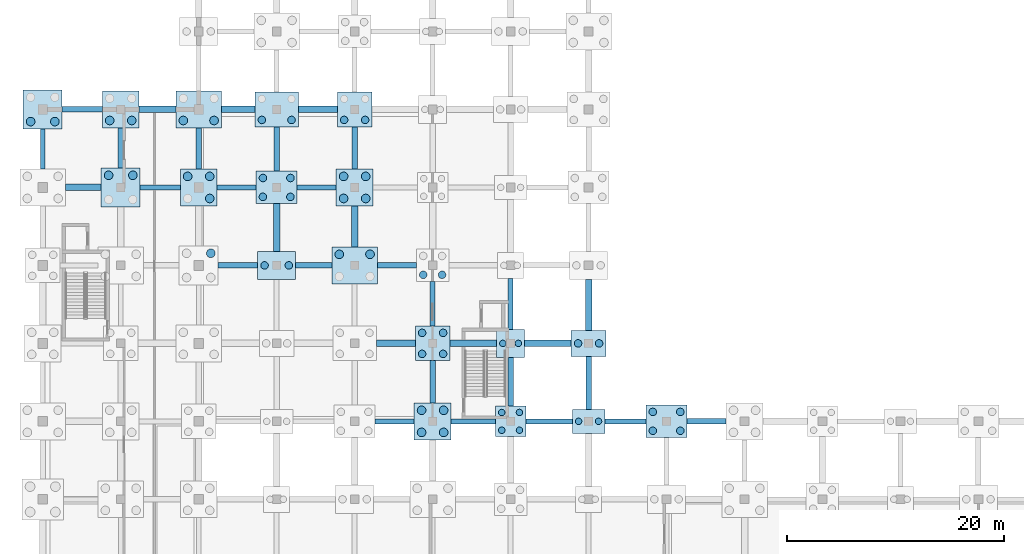
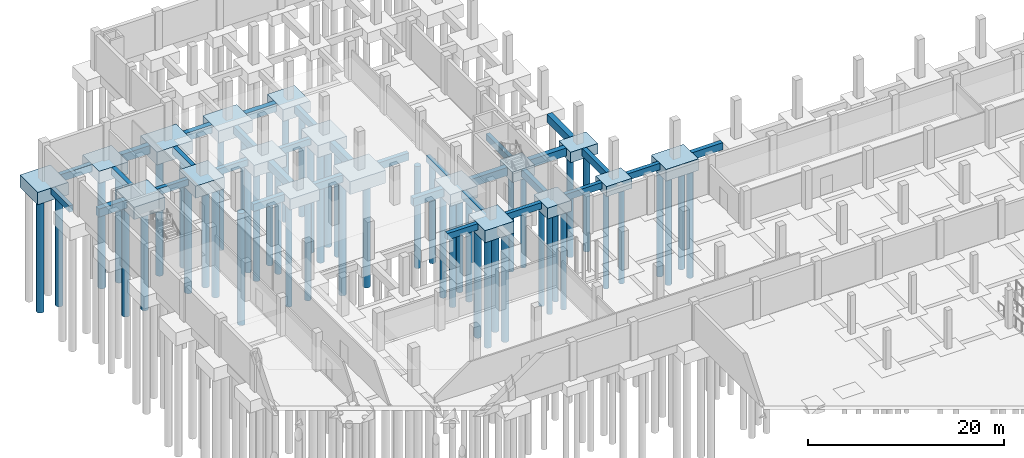
# One storey, part 8 of 38: 52 piles, 50 footings.
"""IFC4 building model written with IfcOpenShell, lengths in metres."""

from ifc_helpers import new_model, si_unit, direction, frame, origin, origin_2d, place, context, subcontext, project, spatial, rectangle, circle, extrude, material, material_profile, profile_set, type_object, element, save


model = new_model("IFC4")

# Units and contexts
model_context = context("Model", 3, precision=1e-05, world=origin(), true_north=direction((0.0, 1.0)))
body_context = subcontext(model_context, "Body", "Model", "MODEL_VIEW")
ifc_project = project(units=[si_unit("LENGTHUNIT", "METRE"), si_unit("AREAUNIT", "SQUARE_METRE"), si_unit("VOLUMEUNIT", "CUBIC_METRE"), si_unit("PLANEANGLEUNIT", "RADIAN"), si_unit("MASSUNIT", "GRAM", prefix="KILO")], contexts=[model_context])

# Site, building, storey
site_placement = place(None, origin())
site = spatial("IfcSite", under=ifc_project, at=site_placement, CompositionType="ELEMENT")
building_placement = place(site_placement, origin())
building = spatial("IfcBuilding", under=site, at=building_placement, Name="Valkovuoma Quantum and Materials Research Institute", CompositionType="ELEMENT")
storey_placement = place(building_placement, frame((0.0, 0.0, -4.800048828125)))
storey = spatial("IfcBuildingStorey", under=building, at=storey_placement, Name="B1", CompositionType="ELEMENT", Elevation=-4.800048828125)

# Footings
ifc_material_1 = material(Name="Concrete C35/45", Category="concrete")
footing_type_1 = type_object("IfcFootingType", Name="Cap-PC-04", PredefinedType="PILE_CAP", material=ifc_material_1)
footing_1_placement = place(storey_placement, frame((43.199951171875, 72.0, -1.2998046875), z_axis=(0.0, 0.0, 1.0), x_axis=(1.0, 0.0, 0.0)))
element("IfcFooting", 1, at=footing_1_placement, inside=storey, type_object=footing_type_1, Name="B1 pile cap 07L", PredefinedType="PILE_CAP", context=body_context, shape_type="SweptSolid", body=[
    extrude(rectangle(XDim=2.60009765625, YDim=2.60009765625, at=origin_2d()), origin(), (0.0, 0.0, 1.0), 1.300048828125),
])
ifc_material_2 = material(Name="Concrete C35/45", Category="concrete")
footing_type_2 = type_object("IfcFootingType", Name="Cap-PC-05", PredefinedType="PILE_CAP", material=ifc_material_2)
footing_2_placement = place(storey_placement, frame((43.199951171875, 64.800048828125, -1.35009765625), z_axis=(0.0, 0.0, 1.0), x_axis=(1.0, 0.0, 0.0)))
element("IfcFooting", 2, at=footing_2_placement, inside=storey, type_object=footing_type_2, Name="B1 pile cap 07K", PredefinedType="PILE_CAP", context=body_context, shape_type="SweptSolid", body=[
    extrude(rectangle(XDim=2.800048828125, YDim=2.800048828125, at=origin_2d()), origin(), (0.0, 0.0, 1.0), 1.35009765625),
])
ifc_material_3 = material(Name="Concrete C35/45", Category="concrete")
footing_type_3 = type_object("IfcFootingType", Name="Cap-PC-07", PredefinedType="PILE_CAP", material=ifc_material_3)
for number, where, z_axis, x_axis, name in (
    (3, (28.800048828125, 93.60009765625, -1.44970703125), (0.0, 0.0, 1.0), (1.0, 0.0, 0.0), "B1 pile cap 05P"),
    (4, (36.0, 72.0, -1.44970703125), (0.0, 0.0, 1.0), (1.0, 0.0, 0.0), "B1 pile cap 06L"),
):
    element("IfcFooting", number, at=place(storey_placement, frame(where, z_axis=z_axis, x_axis=x_axis)), inside=storey, type_object=footing_type_3, Name=name, PredefinedType="PILE_CAP", context=body_context, shape_type="SweptSolid", body=[
        extrude(rectangle(XDim=3.199951171875, YDim=3.199951171875, at=origin_2d()), origin(), (0.0, 0.0, 1.0), 1.449951171875),
    ])
ifc_material_4 = material(Name="Concrete C35/45", Category="concrete")
footing_type_4 = type_object("IfcFootingType", Name="Cap-PC-08", PredefinedType="PILE_CAP", material=ifc_material_4)
for number, where, z_axis, x_axis, name in (
    (5, (7.199951171875, 93.60009765625, -1.5), (0.0, 0.0, 1.0), (1.0, 0.0, 0.0), "B1 pile cap 02P"),
    (6, (14.39990234375, 86.39990234375, -1.5), (0.0, 0.0, 1.0), (1.0, 0.0, 0.0), "B1 pile cap 03N"),
    (7, (28.800048828125, 86.39990234375, -1.5), (0.0, 0.0, 1.0), (1.0, 0.0, 0.0), "B1 pile cap 05N"),
    (8, (36.0, 64.800048828125, -1.5), (0.0, 0.0, 1.0), (1.0, 0.0, 0.0), "B1 pile cap 06K"),
):
    element("IfcFooting", number, at=place(storey_placement, frame(where, z_axis=z_axis, x_axis=x_axis)), inside=storey, type_object=footing_type_4, Name=name, PredefinedType="PILE_CAP", context=body_context, shape_type="SweptSolid", body=[
        extrude(rectangle(XDim=3.39990234375, YDim=3.39990234375, at=origin_2d()), origin(), (0.0, 0.0, 1.0), 1.5),
    ])
ifc_material_5 = material(Name="Concrete C35/45", Category="concrete")
footing_type_5 = type_object("IfcFootingType", Name="Cap-PC-09", PredefinedType="PILE_CAP", material=ifc_material_5)
for number, where, z_axis, x_axis, name in (
    (9, (0.0, 93.60009765625, -1.5498046875), (0.0, 0.0, 1.0), (1.0, 0.0, 0.0), "B1 pile cap 01P"),
    (10, (7.199951171875, 86.39990234375, -1.5498046875), (0.0, 0.0, 1.0), (1.0, 0.0, 0.0), "B1 pile cap 02N"),
):
    element("IfcFooting", number, at=place(storey_placement, frame(where, z_axis=z_axis, x_axis=x_axis)), inside=storey, type_object=footing_type_5, Name=name, PredefinedType="PILE_CAP", context=body_context, shape_type="SweptSolid", body=[
        extrude(rectangle(XDim=3.60009765625, YDim=3.60009765625, at=origin_2d()), origin(), (0.0, 0.0, 1.0), 1.550048828125),
    ])
ifc_material_6 = material(Name="Concrete C35/45", Category="concrete")
footing_type_6 = type_object("IfcFootingType", Name="Cap-PC-11", PredefinedType="PILE_CAP", material=ifc_material_6)
footing_3_placement = place(storey_placement, frame((50.39990234375, 64.800048828125, -1.25), z_axis=(0.0, 0.0, 1.0), x_axis=(1.0, 0.0, 0.0)))
element("IfcFooting", 11, at=footing_3_placement, inside=storey, type_object=footing_type_6, Name="B1 pile cap 08K", PredefinedType="PILE_CAP", context=body_context, shape_type="SweptSolid", body=[
    extrude(rectangle(XDim=3.0, YDim=2.199951171875, at=origin_2d()), origin(), (0.0, 0.0, 1.0), 1.25),
])
ifc_material_7 = material(Name="Concrete C35/45", Category="concrete")
footing_type_7 = type_object("IfcFootingType", Name="Cap-PC-12", PredefinedType="PILE_CAP", material=ifc_material_7)
footing_4_placement = place(storey_placement, frame((50.39990234375, 72.0, -1.2998046875), z_axis=(0.0, 0.0, 1.0), x_axis=(1.0, 0.0, 0.0)))
element("IfcFooting", 12, at=footing_4_placement, inside=storey, type_object=footing_type_7, Name="B1 pile cap 08L", PredefinedType="PILE_CAP", context=body_context, shape_type="SweptSolid", body=[
    extrude(rectangle(XDim=3.199951171875, YDim=2.39990234375, at=origin_2d()), origin(), (0.0, 0.0, 1.0), 1.300048828125),
])
ifc_material_8 = material(Name="Concrete C35/45", Category="concrete")
footing_type_8 = type_object("IfcFootingType", Name="Cap-PC-13", PredefinedType="PILE_CAP", material=ifc_material_8)
footing_5_placement = place(storey_placement, frame((21.60009765625, 79.199951171875, -1.35009765625), z_axis=(0.0, 0.0, 1.0), x_axis=(1.0, 0.0, 0.0)))
element("IfcFooting", 13, at=footing_5_placement, inside=storey, type_object=footing_type_8, Name="B1 pile cap 04M", PredefinedType="PILE_CAP", context=body_context, shape_type="SweptSolid", body=[
    extrude(rectangle(XDim=3.5, YDim=2.60009765625, at=origin_2d()), origin(), (0.0, 0.0, 1.0), 1.35009765625),
])
ifc_material_9 = material(Name="Concrete C35/45", Category="concrete")
footing_type_9 = type_object("IfcFootingType", Name="Cap-PC-14", PredefinedType="PILE_CAP", material=ifc_material_9)
for number, where, z_axis, x_axis, name in (
    (14, (21.60009765625, 86.39990234375, -1.44970703125), (0.0, 0.0, 1.0), (1.0, 0.0, 0.0), "B1 pile cap 04N"),
    (15, (57.60009765625, 64.800048828125, -1.44970703125), (0.0, 0.0, 1.0), (1.0, 0.0, 0.0), "B1 pile cap 09K"),
):
    element("IfcFooting", number, at=place(storey_placement, frame(where, z_axis=z_axis, x_axis=x_axis)), inside=storey, type_object=footing_type_9, Name=name, PredefinedType="PILE_CAP", context=body_context, shape_type="SweptSolid", body=[
        extrude(rectangle(XDim=3.800048828125, YDim=3.0, at=origin_2d()), origin(), (0.0, 0.0, 1.0), 1.449951171875),
    ])
ifc_material_10 = material(Name="Concrete C35/45", Category="concrete")
footing_type_10 = type_object("IfcFootingType", Name="Cap-PC-15", PredefinedType="PILE_CAP", material=ifc_material_10)
footing_6_placement = place(storey_placement, frame((21.60009765625, 93.60009765625, -1.5), z_axis=(0.0, 0.0, 1.0), x_axis=(1.0, 0.0, 0.0)))
element("IfcFooting", 16, at=footing_6_placement, inside=storey, type_object=footing_type_10, Name="B1 pile cap 04P", PredefinedType="PILE_CAP", context=body_context, shape_type="SweptSolid", body=[
    extrude(rectangle(XDim=4.0, YDim=3.199951171875, at=origin_2d()), origin(), (0.0, 0.0, 1.0), 1.5),
])
ifc_material_11 = material(Name="Concrete C35/45", Category="concrete")
footing_type_11 = type_object("IfcFootingType", Name="Cap-PC-16", PredefinedType="PILE_CAP", material=ifc_material_11)
for number, where, z_axis, x_axis, name in (
    (17, (14.39990234375, 93.60009765625, -1.60009765625), (0.0, 0.0, 1.0), (1.0, 0.0, 0.0), "B1 pile cap 03P"),
    (18, (28.800048828125, 79.199951171875, -1.60009765625), (0.0, 0.0, 1.0), (1.0, 0.0, 0.0), "B1 pile cap 05M"),
):
    element("IfcFooting", number, at=place(storey_placement, frame(where, z_axis=z_axis, x_axis=x_axis)), inside=storey, type_object=footing_type_11, Name=name, PredefinedType="PILE_CAP", context=body_context, shape_type="SweptSolid", body=[
        extrude(rectangle(XDim=4.199951171875, YDim=3.39990234375, at=origin_2d()), origin(), (0.0, 0.0, 1.0), 1.60009765625),
    ])
ifc_material_12 = material(Name="Concrete C35/45", Category="concrete")
footing_type_12 = type_object("IfcFootingType", Name="GndBeam-FB-01", PredefinedType="FOOTING_BEAM", material=ifc_material_12)
for number, where, z_axis, x_axis, name in (
    (19, (0.0, 89.949951171875, -0.7998046875), (0.0, 0.0, 1.0), (0.0, 1.0, 0.0), "B1 ground tie beam Y-018"),
    (20, (10.85009765625, 86.39990234375, -0.7998046875), (0.0, 0.0, 1.0), (1.0, 0.0, 0.0), "B1 ground tie beam X-036"),
):
    element("IfcFooting", number, at=place(storey_placement, frame(where, z_axis=z_axis, x_axis=x_axis)), inside=storey, type_object=footing_type_12, Name=name, PredefinedType="FOOTING_BEAM", context=body_context, shape_type="SweptSolid", body=[
        extrude(rectangle(XDim=3.699951171875, YDim=0.449951171875, at=origin_2d()), origin(), (0.0, 0.0, 1.0), 0.800048828125),
    ])
for number, where, z_axis, x_axis, name in (
    (21, (17.89990234375, 86.39990234375, -0.7998046875), (0.0, 0.0, 1.0), (1.0, 0.0, 0.0), "B1 ground tie beam X-054"),
    (22, (25.300048828125, 86.39990234375, -0.7998046875), (0.0, 0.0, 1.0), (1.0, 0.0, 0.0), "B1 ground tie beam X-075"),
    (23, (32.5, 64.800048828125, -0.7998046875), (0.0, 0.0, 1.0), (1.0, 0.0, 0.0), "B1 ground tie beam X-090"),
):
    element("IfcFooting", number, at=place(storey_placement, frame(where, z_axis=z_axis, x_axis=x_axis)), inside=storey, type_object=footing_type_12, Name=name, PredefinedType="FOOTING_BEAM", context=body_context, shape_type="SweptSolid", body=[
        extrude(rectangle(XDim=3.60009765625, YDim=0.449951171875, at=origin_2d()), origin(), (0.0, 0.0, 1.0), 0.800048828125),
    ])
for number, where, z_axis, x_axis, name in (
    (24, (39.75, 64.800048828125, -0.7998046875), (0.0, 0.0, 1.0), (1.0, 0.0, 0.0), "B1 ground tie beam X-111"),
    (25, (36.0, 75.64990234375, -0.7998046875), (0.0, 0.0, 1.0), (0.0, 1.0, 0.0), "B1 ground tie beam Y-114"),
):
    element("IfcFooting", number, at=place(storey_placement, frame(where, z_axis=z_axis, x_axis=x_axis)), inside=storey, type_object=footing_type_12, Name=name, PredefinedType="FOOTING_BEAM", context=body_context, shape_type="SweptSolid", body=[
        extrude(rectangle(XDim=4.10009765625, YDim=0.449951171875, at=origin_2d()), origin(), (0.0, 0.0, 1.0), 0.800048828125),
    ])
footing_7_placement = place(storey_placement, frame((46.75, 64.800048828125, -0.7998046875), z_axis=(0.0, 0.0, 1.0), x_axis=(1.0, 0.0, 0.0)))
element("IfcFooting", 26, at=footing_7_placement, inside=storey, type_object=footing_type_12, Name="B1 ground tie beam X-132", PredefinedType="FOOTING_BEAM", context=body_context, shape_type="SweptSolid", body=[
    extrude(rectangle(XDim=4.300048828125, YDim=0.449951171875, at=origin_2d()), origin(), (0.0, 0.0, 1.0), 0.800048828125),
])
footing_8_placement = place(storey_placement, frame((43.199951171875, 75.64990234375, -0.7998046875), z_axis=(0.0, 0.0, 1.0), x_axis=(0.0, 1.0, 0.0)))
element("IfcFooting", 27, at=footing_8_placement, inside=storey, type_object=footing_type_12, Name="B1 ground tie beam Y-135", PredefinedType="FOOTING_BEAM", context=body_context, shape_type="SweptSolid", body=[
    extrude(rectangle(XDim=4.699951171875, YDim=0.449951171875, at=origin_2d()), origin(), (0.0, 0.0, 1.0), 0.800048828125),
])
footing_9_placement = place(storey_placement, frame((53.800048828125, 64.800048828125, -0.7998046875), z_axis=(0.0, 0.0, 1.0), x_axis=(1.0, 0.0, 0.0)))
element("IfcFooting", 28, at=footing_9_placement, inside=storey, type_object=footing_type_12, Name="B1 ground tie beam X-153", PredefinedType="FOOTING_BEAM", context=body_context, shape_type="SweptSolid", body=[
    extrude(rectangle(XDim=3.800048828125, YDim=0.449951171875, at=origin_2d()), origin(), (0.0, 0.0, 1.0), 0.800048828125),
])
ifc_material_13 = material(Name="Concrete C35/45", Category="concrete")
footing_type_13 = type_object("IfcFootingType", Name="GndBeam-FB-02", PredefinedType="FOOTING_BEAM", material=ifc_material_13)
for number, where, z_axis, x_axis, name in (
    (29, (3.64990234375, 93.60009765625, -0.89990234375), (0.0, 0.0, 1.0), (1.0, 0.0, 0.0), "B1 ground tie beam X-019"),
    (30, (7.199951171875, 90.050048828125, -0.89990234375), (0.0, 0.0, 1.0), (0.0, 1.0, 0.0), "B1 ground tie beam Y-037"),
):
    element("IfcFooting", number, at=place(storey_placement, frame(where, z_axis=z_axis, x_axis=x_axis)), inside=storey, type_object=footing_type_13, Name=name, PredefinedType="FOOTING_BEAM", context=body_context, shape_type="SweptSolid", body=[
        extrude(rectangle(XDim=3.699951171875, YDim=0.5, at=origin_2d()), origin(), (0.0, 0.0, 1.0), 0.89990234375),
    ])
footing_10_placement = place(storey_placement, frame((18.02490234375, 79.199951171875, -0.89990234375), z_axis=(0.0, 0.0, 1.0), x_axis=(1.0, 0.0, 0.0)))
element("IfcFooting", 31, at=footing_10_placement, inside=storey, type_object=footing_type_13, Name="B1 ground tie beam X-052", PredefinedType="FOOTING_BEAM", context=body_context, shape_type="SweptSolid", body=[
    extrude(rectangle(XDim=3.64990234375, YDim=0.5, at=origin_2d()), origin(), (0.0, 0.0, 1.0), 0.89990234375),
])
footing_11_placement = place(storey_placement, frame((14.39990234375, 90.0, -0.89990234375), z_axis=(0.0, 0.0, 1.0), x_axis=(0.0, 1.0, 0.0)))
element("IfcFooting", 32, at=footing_11_placement, inside=storey, type_object=footing_type_13, Name="B1 ground tie beam Y-055", PredefinedType="FOOTING_BEAM", context=body_context, shape_type="SweptSolid", body=[
    extrude(rectangle(XDim=3.800048828125, YDim=0.5, at=origin_2d()), origin(), (0.0, 0.0, 1.0), 0.89990234375),
])
footing_12_placement = place(storey_placement, frame((25.02490234375, 79.199951171875, -0.89990234375), z_axis=(0.0, 0.0, 1.0), x_axis=(1.0, 0.0, 0.0)))
element("IfcFooting", 33, at=footing_12_placement, inside=storey, type_object=footing_type_13, Name="B1 ground tie beam X-073", PredefinedType="FOOTING_BEAM", context=body_context, shape_type="SweptSolid", body=[
    extrude(rectangle(XDim=3.35009765625, YDim=0.5, at=origin_2d()), origin(), (0.0, 0.0, 1.0), 0.89990234375),
])
footing_13_placement = place(storey_placement, frame((21.60009765625, 89.949951171875, -0.89990234375), z_axis=(0.0, 0.0, 1.0), x_axis=(0.0, 1.0, 0.0)))
element("IfcFooting", 34, at=footing_13_placement, inside=storey, type_object=footing_type_13, Name="B1 ground tie beam Y-076", PredefinedType="FOOTING_BEAM", context=body_context, shape_type="SweptSolid", body=[
    extrude(rectangle(XDim=4.10009765625, YDim=0.5, at=origin_2d()), origin(), (0.0, 0.0, 1.0), 0.89990234375),
])
footing_14_placement = place(storey_placement, frame((32.699951171875, 79.199951171875, -0.89990234375), z_axis=(0.0, 0.0, 1.0), x_axis=(1.0, 0.0, 0.0)))
element("IfcFooting", 35, at=footing_14_placement, inside=storey, type_object=footing_type_13, Name="B1 ground tie beam X-094", PredefinedType="FOOTING_BEAM", context=body_context, shape_type="SweptSolid", body=[
    extrude(rectangle(XDim=3.60009765625, YDim=0.5, at=origin_2d()), origin(), (0.0, 0.0, 1.0), 0.89990234375),
])
for number, where, z_axis, x_axis, name in (
    (36, (28.800048828125, 90.050048828125, -0.89990234375), (0.0, 0.0, 1.0), (0.0, 1.0, 0.0), "B1 ground tie beam Y-097"),
    (37, (36.0, 68.449951171875, -0.89990234375), (0.0, 0.0, 1.0), (0.0, 1.0, 0.0), "B1 ground tie beam Y-112"),
):
    element("IfcFooting", number, at=place(storey_placement, frame(where, z_axis=z_axis, x_axis=x_axis)), inside=storey, type_object=footing_type_13, Name=name, PredefinedType="FOOTING_BEAM", context=body_context, shape_type="SweptSolid", body=[
        extrude(rectangle(XDim=3.89990234375, YDim=0.5, at=origin_2d()), origin(), (0.0, 0.0, 1.0), 0.89990234375),
    ])
footing_15_placement = place(storey_placement, frame((43.199951171875, 68.449951171875, -0.89990234375), z_axis=(0.0, 0.0, 1.0), x_axis=(0.0, 1.0, 0.0)))
element("IfcFooting", 38, at=footing_15_placement, inside=storey, type_object=footing_type_13, Name="B1 ground tie beam Y-133", PredefinedType="FOOTING_BEAM", context=body_context, shape_type="SweptSolid", body=[
    extrude(rectangle(XDim=4.5, YDim=0.5, at=origin_2d()), origin(), (0.0, 0.0, 1.0), 0.89990234375),
])
footing_16_placement = place(storey_placement, frame((50.39990234375, 68.35009765625, -0.89990234375), z_axis=(0.0, 0.0, 1.0), x_axis=(0.0, 1.0, 0.0)))
element("IfcFooting", 39, at=footing_16_placement, inside=storey, type_object=footing_type_13, Name="B1 ground tie beam Y-154", PredefinedType="FOOTING_BEAM", context=body_context, shape_type="SweptSolid", body=[
    extrude(rectangle(XDim=4.89990234375, YDim=0.5, at=origin_2d()), origin(), (0.0, 0.0, 1.0), 0.89990234375),
])
footing_17_placement = place(storey_placement, frame((61.300048828125, 64.800048828125, -0.89990234375), z_axis=(0.0, 0.0, 1.0), x_axis=(1.0, 0.0, 0.0)))
element("IfcFooting", 40, at=footing_17_placement, inside=storey, type_object=footing_type_13, Name="B1 ground tie beam X-172", PredefinedType="FOOTING_BEAM", context=body_context, shape_type="SweptSolid", body=[
    extrude(rectangle(XDim=3.60009765625, YDim=0.5, at=origin_2d()), origin(), (0.0, 0.0, 1.0), 0.89990234375),
])
ifc_material_14 = material(Name="Concrete C35/45", Category="concrete")
footing_type_14 = type_object("IfcFootingType", Name="GndBeam-FB-03", PredefinedType="FOOTING_BEAM", material=ifc_material_14)
footing_18_placement = place(storey_placement, frame((3.75, 86.39990234375, -1.0), z_axis=(0.0, 0.0, 1.0), x_axis=(1.0, 0.0, 0.0)))
element("IfcFooting", 41, at=footing_18_placement, inside=storey, type_object=footing_type_14, Name="B1 ground tie beam X-017", PredefinedType="FOOTING_BEAM", context=body_context, shape_type="SweptSolid", body=[
    extrude(rectangle(XDim=3.300048828125, YDim=0.60009765625, at=origin_2d()), origin(), (0.0, 0.0, 1.0), 1.0),
])
footing_19_placement = place(storey_placement, frame((10.60009765625, 93.60009765625, -1.0), z_axis=(0.0, 0.0, 1.0), x_axis=(1.0, 0.0, 0.0)))
element("IfcFooting", 42, at=footing_19_placement, inside=storey, type_object=footing_type_14, Name="B1 ground tie beam X-038", PredefinedType="FOOTING_BEAM", context=body_context, shape_type="SweptSolid", body=[
    extrude(rectangle(XDim=3.39990234375, YDim=0.60009765625, at=origin_2d()), origin(), (0.0, 0.0, 1.0), 1.0),
])
footing_20_placement = place(storey_placement, frame((18.050048828125, 93.60009765625, -1.0), z_axis=(0.0, 0.0, 1.0), x_axis=(1.0, 0.0, 0.0)))
element("IfcFooting", 43, at=footing_20_placement, inside=storey, type_object=footing_type_14, Name="B1 ground tie beam X-056", PredefinedType="FOOTING_BEAM", context=body_context, shape_type="SweptSolid", body=[
    extrude(rectangle(XDim=3.10009765625, YDim=0.60009765625, at=origin_2d()), origin(), (0.0, 0.0, 1.0), 1.0),
])
footing_21_placement = place(storey_placement, frame((21.60009765625, 82.699951171875, -1.0), z_axis=(0.0, 0.0, 1.0), x_axis=(0.0, 1.0, 0.0)))
element("IfcFooting", 44, at=footing_21_placement, inside=storey, type_object=footing_type_14, Name="B1 ground tie beam Y-074", PredefinedType="FOOTING_BEAM", context=body_context, shape_type="SweptSolid", body=[
    extrude(rectangle(XDim=4.39990234375, YDim=0.60009765625, at=origin_2d()), origin(), (0.0, 0.0, 1.0), 1.0),
])
for number, where, z_axis, x_axis, name in (
    (45, (25.39990234375, 93.60009765625, -1.0), (0.0, 0.0, 1.0), (1.0, 0.0, 0.0), "B1 ground tie beam X-077"),
    (46, (32.60009765625, 72.0, -1.0), (0.0, 0.0, 1.0), (1.0, 0.0, 0.0), "B1 ground tie beam X-092"),
):
    element("IfcFooting", number, at=place(storey_placement, frame(where, z_axis=z_axis, x_axis=x_axis)), inside=storey, type_object=footing_type_14, Name=name, PredefinedType="FOOTING_BEAM", context=body_context, shape_type="SweptSolid", body=[
        extrude(rectangle(XDim=3.60009765625, YDim=0.60009765625, at=origin_2d()), origin(), (0.0, 0.0, 1.0), 1.0),
    ])
footing_22_placement = place(storey_placement, frame((28.800048828125, 82.800048828125, -1.0), z_axis=(0.0, 0.0, 1.0), x_axis=(0.0, 1.0, 0.0)))
element("IfcFooting", 47, at=footing_22_placement, inside=storey, type_object=footing_type_14, Name="B1 ground tie beam Y-095", PredefinedType="FOOTING_BEAM", context=body_context, shape_type="SweptSolid", body=[
    extrude(rectangle(XDim=3.800048828125, YDim=0.60009765625, at=origin_2d()), origin(), (0.0, 0.0, 1.0), 1.0),
])
for number, where, z_axis, x_axis, name in (
    (48, (39.75, 72.0, -1.0), (0.0, 0.0, 1.0), (1.0, 0.0, 0.0), "B1 ground tie beam X-113"),
    (49, (46.64990234375, 72.0, -1.0), (0.0, 0.0, 1.0), (1.0, 0.0, 0.0), "B1 ground tie beam X-134"),
):
    element("IfcFooting", number, at=place(storey_placement, frame(where, z_axis=z_axis, x_axis=x_axis)), inside=storey, type_object=footing_type_14, Name=name, PredefinedType="FOOTING_BEAM", context=body_context, shape_type="SweptSolid", body=[
        extrude(rectangle(XDim=4.300048828125, YDim=0.60009765625, at=origin_2d()), origin(), (0.0, 0.0, 1.0), 1.0),
    ])
footing_23_placement = place(storey_placement, frame((50.39990234375, 75.550048828125, -1.0), z_axis=(0.0, 0.0, 1.0), x_axis=(0.0, 1.0, 0.0)))
element("IfcFooting", 50, at=footing_23_placement, inside=storey, type_object=footing_type_14, Name="B1 ground tie beam Y-155", PredefinedType="FOOTING_BEAM", context=body_context, shape_type="SweptSolid", body=[
    extrude(rectangle(XDim=4.699951171875, YDim=0.60009765625, at=origin_2d()), origin(), (0.0, 0.0, 1.0), 1.0),
])

# Piles
ifc_material_15 = material(Name="Concrete C40/50", Category="concrete")
ifc_material_profile_1 = material_profile(ifc_material_15, circle(Radius=0.300048828125, at=origin_2d()), Name="Concrete C40/50")
ifc_profile_set_1 = profile_set([ifc_material_profile_1], Name="Concrete C40/50")
pile_type_1 = type_object("IfcPileType", Name="Pile-PL-B600", PredefinedType="BORED", material=ifc_profile_set_1)
for number, where, z_axis, x_axis, name in (
    (51, (42.3798828125, 63.97998046875, -1.25), (0.0, 0.0, -1.0), (1.0, 0.0, 0.0), "B1 pile 07K-1"),
    (52, (44.02001953125, 63.97998046875, -1.25), (0.0, 0.0, -1.0), (1.0, 0.0, 0.0), "B1 pile 07K-2"),
    (53, (42.3798828125, 65.6201171875, -1.25), (0.0, 0.0, -1.0), (1.0, 0.0, 0.0), "B1 pile 07K-3"),
    (54, (44.02001953125, 65.6201171875, -1.25), (0.0, 0.0, -1.0), (1.0, 0.0, 0.0), "B1 pile 07K-4"),
):
    element("IfcPile", number, at=place(storey_placement, frame(where, z_axis=z_axis, x_axis=x_axis)), inside=storey, type_object=pile_type_1, Name=name, PredefinedType="BORED", context=body_context, shape_type="SweptSolid", body=[
        extrude(circle(Radius=0.300048828125, at=origin_2d()), origin(), (0.0, 0.0, 1.0), 12.35009765625),
    ])
for number, where, z_axis, x_axis, name in (
    (55, (42.47998046875, 72.0, -1.199951171875), (0.0, 0.0, -1.0), (1.0, 0.0, 0.0), "B1 pile 07L-1"),
    (56, (43.919921875, 72.0, -1.199951171875), (0.0, 0.0, -1.0), (1.0, 0.0, 0.0), "B1 pile 07L-2"),
):
    element("IfcPile", number, at=place(storey_placement, frame(where, z_axis=z_axis, x_axis=x_axis)), inside=storey, type_object=pile_type_1, Name=name, PredefinedType="BORED", context=body_context, shape_type="SweptSolid", body=[
        extrude(circle(Radius=0.300048828125, at=origin_2d()), origin(), (0.0, 0.0, 1.0), 12.0),
    ])
for number, where, z_axis, x_axis, name in (
    (57, (49.47998046875, 64.800048828125, -1.14990234375), (0.0, 0.0, -1.0), (1.0, 0.0, 0.0), "B1 pile 08K-1"),
    (58, (51.320068359375, 64.800048828125, -1.14990234375), (0.0, 0.0, -1.0), (1.0, 0.0, 0.0), "B1 pile 08K-2"),
):
    element("IfcPile", number, at=place(storey_placement, frame(where, z_axis=z_axis, x_axis=x_axis)), inside=storey, type_object=pile_type_1, Name=name, PredefinedType="BORED", context=body_context, shape_type="SweptSolid", body=[
        extrude(circle(Radius=0.300048828125, at=origin_2d()), origin(), (0.0, 0.0, 1.0), 12.25),
    ])
ifc_material_16 = material(Name="Concrete C40/50", Category="concrete")
ifc_material_profile_2 = material_profile(ifc_material_16, circle(Radius=0.35009765625, at=origin_2d()), Name="Concrete C40/50")
ifc_profile_set_2 = profile_set([ifc_material_profile_2], Name="Concrete C40/50")
pile_type_2 = type_object("IfcPileType", Name="Pile-PL-B700", PredefinedType="BORED", material=ifc_profile_set_2)
for number, where, z_axis, x_axis, name in (
    (59, (20.47998046875, 79.199951171875, -1.25), (0.0, 0.0, -1.0), (1.0, 0.0, 0.0), "B1 pile 04M-1"),
    (60, (22.719970703125, 79.199951171875, -1.25), (0.0, 0.0, -1.0), (1.0, 0.0, 0.0), "B1 pile 04M-2"),
):
    element("IfcPile", number, at=place(storey_placement, frame(where, z_axis=z_axis, x_axis=x_axis)), inside=storey, type_object=pile_type_2, Name=name, PredefinedType="BORED", context=body_context, shape_type="SweptSolid", body=[
        extrude(circle(Radius=0.35009765625, at=origin_2d()), origin(), (0.0, 0.0, 1.0), 12.949951171875),
    ])
for number, where, z_axis, x_axis, name in (
    (61, (20.330078125, 85.530029296875, -1.349853515625), (0.0, 0.0, -1.0), (1.0, 0.0, 0.0), "B1 pile 04N-1"),
    (62, (22.8701171875, 85.530029296875, -1.349853515625), (0.0, 0.0, -1.0), (1.0, 0.0, 0.0), "B1 pile 04N-2"),
    (63, (20.330078125, 87.27001953125, -1.349853515625), (0.0, 0.0, -1.0), (1.0, 0.0, 0.0), "B1 pile 04N-3"),
    (64, (22.8701171875, 87.27001953125, -1.349853515625), (0.0, 0.0, -1.0), (1.0, 0.0, 0.0), "B1 pile 04N-4"),
):
    element("IfcPile", number, at=place(storey_placement, frame(where, z_axis=z_axis, x_axis=x_axis)), inside=storey, type_object=pile_type_2, Name=name, PredefinedType="BORED", context=body_context, shape_type="SweptSolid", body=[
        extrude(circle(Radius=0.35009765625, at=origin_2d()), origin(), (0.0, 0.0, 1.0), 13.449951171875),
    ])
for number, where, z_axis, x_axis, name in (
    (65, (20.22998046875, 92.6298828125, -1.39990234375), (0.0, 0.0, -1.0), (1.0, 0.0, 0.0), "B1 pile 04P-1"),
    (66, (22.969970703125, 92.6298828125, -1.39990234375), (0.0, 0.0, -1.0), (1.0, 0.0, 0.0), "B1 pile 04P-2"),
):
    element("IfcPile", number, at=place(storey_placement, frame(where, z_axis=z_axis, x_axis=x_axis)), inside=storey, type_object=pile_type_2, Name=name, PredefinedType="BORED", context=body_context, shape_type="SweptSolid", body=[
        extrude(circle(Radius=0.35009765625, at=origin_2d()), origin(), (0.0, 0.0, 1.0), 13.800048828125),
    ])
for number, where, z_axis, x_axis, name in (
    (67, (27.830078125, 92.6298828125, -1.349853515625), (0.0, 0.0, -1.0), (1.0, 0.0, 0.0), "B1 pile 05P-1"),
    (68, (29.77001953125, 92.6298828125, -1.349853515625), (0.0, 0.0, -1.0), (1.0, 0.0, 0.0), "B1 pile 05P-2"),
    (69, (35.030029296875, 71.030029296875, -1.349853515625), (0.0, 0.0, -1.0), (1.0, 0.0, 0.0), "B1 pile 06L-1"),
    (70, (36.969970703125, 71.030029296875, -1.349853515625), (0.0, 0.0, -1.0), (1.0, 0.0, 0.0), "B1 pile 06L-2"),
    (71, (35.030029296875, 72.969970703125, -1.349853515625), (0.0, 0.0, -1.0), (1.0, 0.0, 0.0), "B1 pile 06L-3"),
    (72, (36.969970703125, 72.969970703125, -1.349853515625), (0.0, 0.0, -1.0), (1.0, 0.0, 0.0), "B1 pile 06L-4"),
):
    element("IfcPile", number, at=place(storey_placement, frame(where, z_axis=z_axis, x_axis=x_axis)), inside=storey, type_object=pile_type_2, Name=name, PredefinedType="BORED", context=body_context, shape_type="SweptSolid", body=[
        extrude(circle(Radius=0.35009765625, at=origin_2d()), origin(), (0.0, 0.0, 1.0), 13.050048828125),
    ])
for number, where, z_axis, x_axis, name in (
    (73, (35.1298828125, 78.330078125, -1.300048828125), (0.0, 0.0, -1.0), (1.0, 0.0, 0.0), "B1 pile 06M-1"),
    (74, (36.8701171875, 78.330078125, -1.300048828125), (0.0, 0.0, -1.0), (1.0, 0.0, 0.0), "B1 pile 06M-2"),
):
    element("IfcPile", number, at=place(storey_placement, frame(where, z_axis=z_axis, x_axis=x_axis)), inside=storey, type_object=pile_type_2, Name=name, PredefinedType="BORED", context=body_context, shape_type="SweptSolid", body=[
        extrude(circle(Radius=0.35009765625, at=origin_2d()), origin(), (0.0, 0.0, 1.0), 12.699951171875),
    ])
for number, where, z_axis, x_axis, name in (
    (75, (49.429931640625, 72.0, -1.199951171875), (0.0, 0.0, -1.0), (1.0, 0.0, 0.0), "B1 pile 08L-1"),
    (76, (51.3701171875, 72.0, -1.199951171875), (0.0, 0.0, -1.0), (1.0, 0.0, 0.0), "B1 pile 08L-2"),
):
    element("IfcPile", number, at=place(storey_placement, frame(where, z_axis=z_axis, x_axis=x_axis)), inside=storey, type_object=pile_type_2, Name=name, PredefinedType="BORED", context=body_context, shape_type="SweptSolid", body=[
        extrude(circle(Radius=0.35009765625, at=origin_2d()), origin(), (0.0, 0.0, 1.0), 12.60009765625),
    ])
for number, where, z_axis, x_axis, name in (
    (77, (56.330078125, 63.929931640625, -1.349853515625), (0.0, 0.0, -1.0), (1.0, 0.0, 0.0), "B1 pile 09K-1"),
    (78, (58.8701171875, 63.929931640625, -1.349853515625), (0.0, 0.0, -1.0), (1.0, 0.0, 0.0), "B1 pile 09K-2"),
    (79, (56.330078125, 65.669921875, -1.349853515625), (0.0, 0.0, -1.0), (1.0, 0.0, 0.0), "B1 pile 09K-3"),
    (80, (58.8701171875, 65.669921875, -1.349853515625), (0.0, 0.0, -1.0), (1.0, 0.0, 0.0), "B1 pile 09K-4"),
):
    element("IfcPile", number, at=place(storey_placement, frame(where, z_axis=z_axis, x_axis=x_axis)), inside=storey, type_object=pile_type_2, Name=name, PredefinedType="BORED", context=body_context, shape_type="SweptSolid", body=[
        extrude(circle(Radius=0.35009765625, at=origin_2d()), origin(), (0.0, 0.0, 1.0), 13.449951171875),
    ])
ifc_material_17 = material(Name="Concrete C40/50", Category="concrete")
ifc_material_profile_3 = material_profile(ifc_material_17, circle(Radius=0.39990234375, at=origin_2d()), Name="Concrete C40/50")
ifc_profile_set_3 = profile_set([ifc_material_profile_3], Name="Concrete C40/50")
pile_type_3 = type_object("IfcPileType", Name="Pile-PL-B800", PredefinedType="BORED", material=ifc_profile_set_3)
for number, where, z_axis, x_axis, name in (
    (81, (-1.1201171875, 92.47998046875, -1.449951171875), (0.0, 0.0, -1.0), (1.0, 0.0, 0.0), "B1 pile 01P-1"),
    (82, (1.1201171875, 92.47998046875, -1.449951171875), (0.0, 0.0, -1.0), (1.0, 0.0, 0.0), "B1 pile 01P-2"),
    (83, (6.080078125, 87.52001953125, -1.449951171875), (0.0, 0.0, -1.0), (1.0, 0.0, 0.0), "B1 pile 02N-3"),
    (84, (8.320068359375, 87.52001953125, -1.449951171875), (0.0, 0.0, -1.0), (1.0, 0.0, 0.0), "B1 pile 02N-4"),
):
    element("IfcPile", number, at=place(storey_placement, frame(where, z_axis=z_axis, x_axis=x_axis)), inside=storey, type_object=pile_type_3, Name=name, PredefinedType="BORED", context=body_context, shape_type="SweptSolid", body=[
        extrude(circle(Radius=0.39990234375, at=origin_2d()), origin(), (0.0, 0.0, 1.0), 13.949951171875),
    ])
for number, where, z_axis, x_axis, name in (
    (85, (6.179931640625, 92.580078125, -1.39990234375), (0.0, 0.0, -1.0), (1.0, 0.0, 0.0), "B1 pile 02P-1"),
    (86, (8.219970703125, 92.580078125, -1.39990234375), (0.0, 0.0, -1.0), (1.0, 0.0, 0.0), "B1 pile 02P-2"),
):
    element("IfcPile", number, at=place(storey_placement, frame(where, z_axis=z_axis, x_axis=x_axis)), inside=storey, type_object=pile_type_3, Name=name, PredefinedType="BORED", context=body_context, shape_type="SweptSolid", body=[
        extrude(circle(Radius=0.39990234375, at=origin_2d()), origin(), (0.0, 0.0, 1.0), 13.60009765625),
    ])
pile_placement = place(storey_placement, frame((15.52001953125, 80.320068359375, -1.449951171875), z_axis=(0.0, 0.0, -1.0), x_axis=(1.0, 0.0, 0.0)))
element("IfcPile", 87, at=pile_placement, inside=storey, type_object=pile_type_3, Name="B1 pile 03M-4", PredefinedType="BORED", context=body_context, shape_type="SweptSolid", body=[
    extrude(circle(Radius=0.39990234375, at=origin_2d()), origin(), (0.0, 0.0, 1.0), 13.949951171875),
])
for number, where, z_axis, x_axis, name in (
    (88, (15.419921875, 85.3798828125, -1.39990234375), (0.0, 0.0, -1.0), (1.0, 0.0, 0.0), "B1 pile 03N-2"),
    (89, (13.3798828125, 87.419921875, -1.39990234375), (0.0, 0.0, -1.0), (1.0, 0.0, 0.0), "B1 pile 03N-3"),
    (90, (15.419921875, 87.419921875, -1.39990234375), (0.0, 0.0, -1.0), (1.0, 0.0, 0.0), "B1 pile 03N-4"),
):
    element("IfcPile", number, at=place(storey_placement, frame(where, z_axis=z_axis, x_axis=x_axis)), inside=storey, type_object=pile_type_3, Name=name, PredefinedType="BORED", context=body_context, shape_type="SweptSolid", body=[
        extrude(circle(Radius=0.39990234375, at=origin_2d()), origin(), (0.0, 0.0, 1.0), 13.60009765625),
    ])
for number, where, z_axis, x_axis, name in (
    (91, (12.97998046875, 92.580078125, -1.5), (0.0, 0.0, -1.0), (1.0, 0.0, 0.0), "B1 pile 03P-1"),
    (92, (15.820068359375, 92.580078125, -1.5), (0.0, 0.0, -1.0), (1.0, 0.0, 0.0), "B1 pile 03P-2"),
    (93, (27.3798828125, 80.219970703125, -1.5), (0.0, 0.0, -1.0), (1.0, 0.0, 0.0), "B1 pile 05M-3"),
    (94, (30.219970703125, 80.219970703125, -1.5), (0.0, 0.0, -1.0), (1.0, 0.0, 0.0), "B1 pile 05M-4"),
):
    element("IfcPile", number, at=place(storey_placement, frame(where, z_axis=z_axis, x_axis=x_axis)), inside=storey, type_object=pile_type_3, Name=name, PredefinedType="BORED", context=body_context, shape_type="SweptSolid", body=[
        extrude(circle(Radius=0.39990234375, at=origin_2d()), origin(), (0.0, 0.0, 1.0), 14.300048828125),
    ])
for number, where, z_axis, x_axis, name in (
    (95, (27.780029296875, 85.3798828125, -1.39990234375), (0.0, 0.0, -1.0), (1.0, 0.0, 0.0), "B1 pile 05N-1"),
    (96, (29.820068359375, 85.3798828125, -1.39990234375), (0.0, 0.0, -1.0), (1.0, 0.0, 0.0), "B1 pile 05N-2"),
    (97, (27.780029296875, 87.419921875, -1.39990234375), (0.0, 0.0, -1.0), (1.0, 0.0, 0.0), "B1 pile 05N-3"),
    (98, (29.820068359375, 87.419921875, -1.39990234375), (0.0, 0.0, -1.0), (1.0, 0.0, 0.0), "B1 pile 05N-4"),
    (99, (34.97998046875, 63.780029296875, -1.39990234375), (0.0, 0.0, -1.0), (1.0, 0.0, 0.0), "B1 pile 06K-1"),
    (100, (37.02001953125, 63.780029296875, -1.39990234375), (0.0, 0.0, -1.0), (1.0, 0.0, 0.0), "B1 pile 06K-2"),
    (101, (34.97998046875, 65.820068359375, -1.39990234375), (0.0, 0.0, -1.0), (1.0, 0.0, 0.0), "B1 pile 06K-3"),
    (102, (37.02001953125, 65.820068359375, -1.39990234375), (0.0, 0.0, -1.0), (1.0, 0.0, 0.0), "B1 pile 06K-4"),
):
    element("IfcPile", number, at=place(storey_placement, frame(where, z_axis=z_axis, x_axis=x_axis)), inside=storey, type_object=pile_type_3, Name=name, PredefinedType="BORED", context=body_context, shape_type="SweptSolid", body=[
        extrude(circle(Radius=0.39990234375, at=origin_2d()), origin(), (0.0, 0.0, 1.0), 13.60009765625),
    ])

save(model, "model.ifc")
